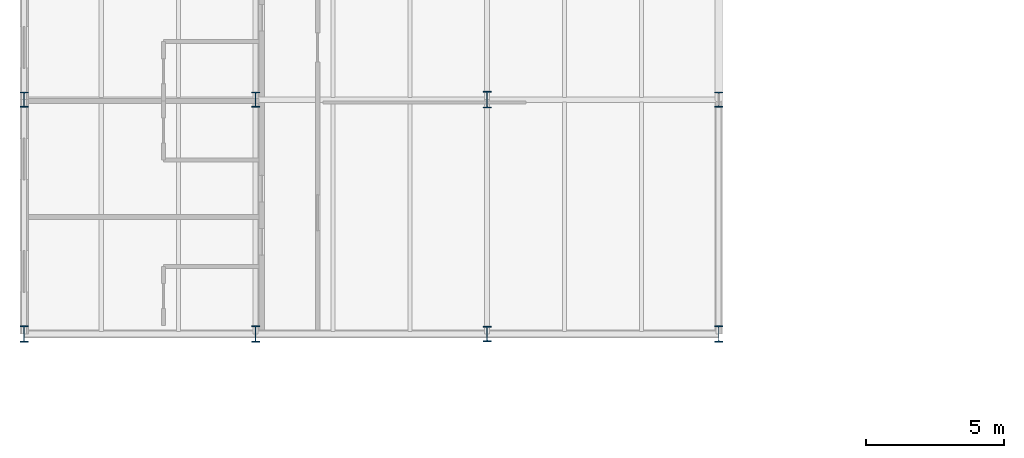
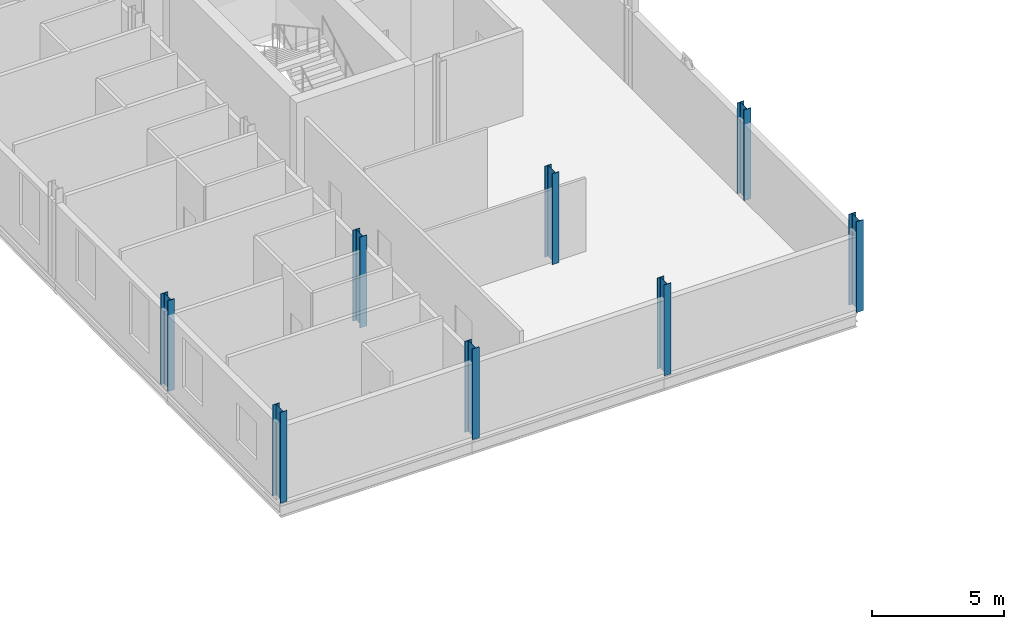
# One storey, part 1 of 45: 8 columns.
"""IFC4 building model written with IfcOpenShell, lengths in metres."""

from ifc_helpers import new_model, si_unit, direction, frame, origin, origin_2d, place, context, subcontext, project, spatial, i_section, extrude, material, material_profile, profile_set, type_object, element, save


model = new_model("IFC4")

# Units and contexts
model_context = context("Model", 3, precision=1e-05, world=origin(), true_north=direction((0.0, 1.0)))
body_context = subcontext(model_context, "Body", "Model", "MODEL_VIEW")
ifc_project = project(units=[si_unit("LENGTHUNIT", "METRE"), si_unit("AREAUNIT", "SQUARE_METRE"), si_unit("VOLUMEUNIT", "CUBIC_METRE"), si_unit("PLANEANGLEUNIT", "RADIAN"), si_unit("MASSUNIT", "GRAM", prefix="KILO")], contexts=[model_context])

# Site, building, storey
site_placement = place(None, origin())
site = spatial("IfcSite", under=ifc_project, at=site_placement, CompositionType="ELEMENT")
building_placement = place(site_placement, origin())
building = spatial("IfcBuilding", under=site, at=building_placement, Name="Sefraquen Railside Congress Hotel", CompositionType="ELEMENT")
storey_placement = place(building_placement, frame((0.0, 0.0, 20.39990234375)))
storey = spatial("IfcBuildingStorey", under=building, at=storey_placement, Name="L04", CompositionType="ELEMENT", Elevation=20.39990234375)

# Columns
ifc_material = material(Name="Steel S355JR", Category="steel")
ifc_material_profile_1 = material_profile(ifc_material, i_section(OverallWidth=0.300048828125, OverallDepth=0.550048828125, WebThickness=0.014892578125, FlangeThickness=0.029052734375, FilletRadius=0.027099609375, at=origin_2d()), Name="HEB 550")
ifc_profile_set_1 = profile_set([ifc_material_profile_1], Name="Steel S355JR")
column_type_1 = type_object("IfcColumnType", Name="TC-HEB-550", PredefinedType="COLUMN", material=ifc_profile_set_1)
for number, where, z_axis, x_axis, name in (
    (1, (0.0, 71.0, 0.0), (0.0, 0.0, 1.0), (1.0, 0.0, 0.0), "Structural column 1-J L04"),
    (2, (8.39990234375, 71.0, 0.0), (0.0, 0.0, 1.0), (1.0, 0.0, 0.0), "Structural column 2-J L04"),
    (3, (16.800048828125, 62.5, 0.0), (0.0, 0.0, 1.0), (1.0, 0.0, 0.0), "Structural column 3-H L04"),
    (4, (25.199951171875, 71.0, 0.0), (0.0, 0.0, 1.0), (1.0, 0.0, 0.0), "Structural column 4-J L04"),
):
    element("IfcColumn", number, at=place(storey_placement, frame(where, z_axis=z_axis, x_axis=x_axis)), inside=storey, type_object=column_type_1, Name=name, PredefinedType="COLUMN", context=body_context, shape_type="SweptSolid", body=[
        extrude(i_section(OverallWidth=0.300048828125, OverallDepth=0.550048828125, WebThickness=0.014892578125, FlangeThickness=0.029052734375, FilletRadius=0.027099609375, at=origin_2d()), origin(), (0.0, 0.0, 1.0), 4.2001953125),
    ])
ifc_material_profile_2 = material_profile(ifc_material, i_section(OverallWidth=0.300048828125, OverallDepth=0.60009765625, WebThickness=0.015380859375, FlangeThickness=0.030029296875, FilletRadius=0.027099609375, at=origin_2d()), Name="HEB 600")
ifc_profile_set_2 = profile_set([ifc_material_profile_2], Name="Steel S355JR")
column_type_2 = type_object("IfcColumnType", Name="TC-HEB-600", PredefinedType="COLUMN", material=ifc_profile_set_2)
for number, where, z_axis, x_axis, name in (
    (5, (0.0, 62.5, 0.0), (0.0, 0.0, 1.0), (1.0, 0.0, 0.0), "Structural column 1-H L04"),
    (6, (8.39990234375, 62.5, 0.0), (0.0, 0.0, 1.0), (1.0, 0.0, 0.0), "Structural column 2-H L04"),
    (7, (16.800048828125, 71.0, 0.0), (0.0, 0.0, 1.0), (1.0, 0.0, 0.0), "Structural column 3-J L04"),
    (8, (25.199951171875, 62.5, 0.0), (0.0, 0.0, 1.0), (1.0, 0.0, 0.0), "Structural column 4-H L04"),
):
    element("IfcColumn", number, at=place(storey_placement, frame(where, z_axis=z_axis, x_axis=x_axis)), inside=storey, type_object=column_type_2, Name=name, PredefinedType="COLUMN", context=body_context, shape_type="SweptSolid", body=[
        extrude(i_section(OverallWidth=0.300048828125, OverallDepth=0.60009765625, WebThickness=0.015380859375, FlangeThickness=0.030029296875, FilletRadius=0.027099609375, at=origin_2d()), origin(), (0.0, 0.0, 1.0), 4.2001953125),
    ])

save(model, "model.ifc")
